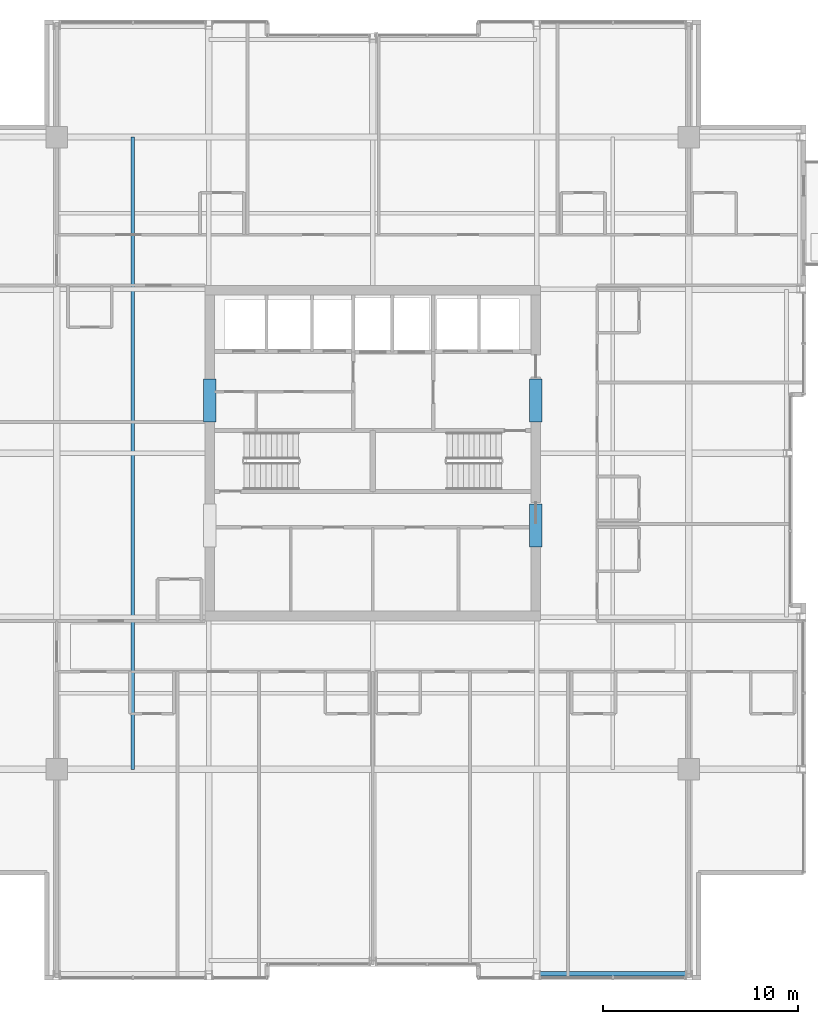
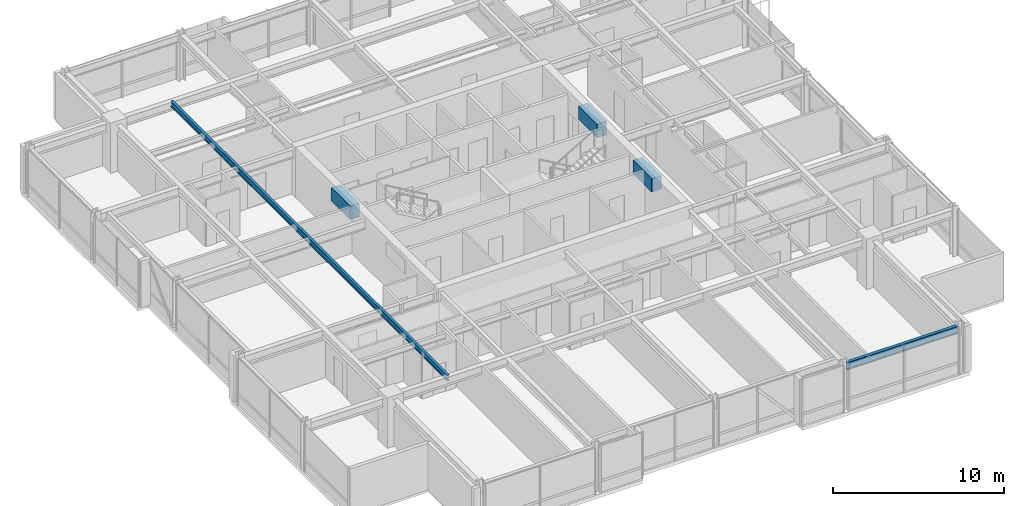
# One storey, part 12 of 33: 5 beams.
"""IFC4 building model written with IfcOpenShell, lengths in metres."""

from ifc_helpers import new_model, si_unit, direction, frame, origin, origin_2d, place, context, subcontext, project, spatial, rectangle, i_section, extrude, material, material_profile, profile_set, type_object, element, save


model = new_model("IFC4")

# Units and contexts
model_context = context("Model", 3, precision=1e-05, world=origin(), true_north=direction((0.0, 1.0)))
body_context = subcontext(model_context, "Body", "Model", "MODEL_VIEW")
ifc_project = project(units=[si_unit("LENGTHUNIT", "METRE"), si_unit("AREAUNIT", "SQUARE_METRE"), si_unit("VOLUMEUNIT", "CUBIC_METRE"), si_unit("PLANEANGLEUNIT", "RADIAN"), si_unit("MASSUNIT", "GRAM", prefix="KILO")], contexts=[model_context])

# Site, building, storey
site_placement = place(None, origin())
site = spatial("IfcSite", under=ifc_project, at=site_placement, CompositionType="ELEMENT")
building_placement = place(site_placement, origin())
building = spatial("IfcBuilding", under=site, at=building_placement, Name="Drelvath Grand Hotel", CompositionType="ELEMENT")
storey_placement = place(building_placement, frame((0.0, 0.0, 248.300048828125)))
storey = spatial("IfcBuildingStorey", under=building, at=storey_placement, Name="L65", CompositionType="ELEMENT", Elevation=248.300048828125)

# Beams
ifc_material_1 = material(Name="Steel ASTM A992 Gr 50", Category="steel")
ifc_material_profile_1 = material_profile(ifc_material_1, i_section(OverallWidth=0.177734375, OverallDepth=0.40673828125, WebThickness=0.0078125, FlangeThickness=0.0126953125, FilletRadius=0.014892578125, at=origin_2d()), Name="W16X40")
ifc_profile_set_1 = profile_set([ifc_material_profile_1], Name="Steel ASTM A992 Gr 50")
beam_type_1 = type_object("IfcBeamType", Name="Composite Floor Joist W16X40", PredefinedType="JOIST", material=ifc_profile_set_1)
beam_1_placement = place(storey_placement, frame((-12.300048828125, 10.800048828125, 3.136474609375), z_axis=(0.0, 1.0, 0.0), x_axis=(-1.0, 0.0, 0.0)))
element("IfcBeam", 1, at=beam_1_placement, inside=storey, type_object=beam_type_1, Name="L65 Wing Floor Joist J3", PredefinedType="JOIST", context=body_context, shape_type="SweptSolid", body=[
    extrude(i_section(OverallWidth=0.177734375, OverallDepth=0.40673828125, WebThickness=0.0078125, FlangeThickness=0.0126953125, FilletRadius=0.014892578125, at=origin_2d()), origin(), (0.0, 0.0, 1.0), 32.39990234375),
])
ifc_material_2 = material(Name="Concrete f'c 55 MPa", Category="concrete")
ifc_material_profile_2 = material_profile(ifc_material_2, rectangle(XDim=0.64990234375, YDim=0.949951171875, at=origin_2d()), Name="CB650X950")
ifc_profile_set_2 = profile_set([ifc_material_profile_2], Name="Concrete f'c 55 MPa")
beam_type_2 = type_object("IfcBeamType", Name="Core Coupling Lintel CB650X950", PredefinedType="LINTEL", material=ifc_profile_set_2)
for number, where, z_axis, x_axis, name in (
    (2, (-8.35009765625, 28.60009765625, 2.864990234375), (0.0, 1.0, 0.0), (-1.0, 0.0, 0.0), "L65 Core Coupling Lintel WN"),
    (3, (8.35009765625, 22.199951171875, 2.864990234375), (0.0, 1.0, 0.0), (-1.0, 0.0, 0.0), "L65 Core Coupling Lintel ES"),
    (4, (8.35009765625, 28.60009765625, 2.864990234375), (0.0, 1.0, 0.0), (-1.0, 0.0, 0.0), "L65 Core Coupling Lintel EN"),
):
    element("IfcBeam", number, at=place(storey_placement, frame(where, z_axis=z_axis, x_axis=x_axis)), inside=storey, type_object=beam_type_2, Name=name, PredefinedType="LINTEL", context=body_context, shape_type="SweptSolid", body=[
        extrude(rectangle(XDim=0.64990234375, YDim=0.949951171875, at=origin_2d()), origin(), (0.0, 0.0, 1.0), 2.199951171875),
    ])
ifc_material_profile_3 = material_profile(ifc_material_1, i_section(OverallWidth=0.210205078125, OverallDepth=0.53662109375, WebThickness=0.010986328125, FlangeThickness=0.017333984375, FilletRadius=0.01806640625, at=origin_2d()), Name="W21X68")
ifc_profile_set_3 = profile_set([ifc_material_profile_3], Name="Steel ASTM A992 Gr 50")
beam_type_3 = type_object("IfcBeamType", Name="Perimeter Spandrel Beam W21X68", PredefinedType="SPANDREL", material=ifc_profile_set_3)
beam_2_placement = place(storey_placement, frame((8.5400390625, 0.320068359375, 3.071533203125), z_axis=(1.0, 0.0, 0.0), x_axis=(0.0, 1.0, 0.0)))
element("IfcBeam", 5, at=beam_2_placement, inside=storey, type_object=beam_type_3, Name="L65 Spandrel South E", PredefinedType="SPANDREL", context=body_context, shape_type="SweptSolid", body=[
    extrude(i_section(OverallWidth=0.210205078125, OverallDepth=0.53662109375, WebThickness=0.010986328125, FlangeThickness=0.017333984375, FilletRadius=0.01806640625, at=origin_2d()), origin(), (0.0, 0.0, 1.0), 7.52001953125),
])

save(model, "model.ifc")
